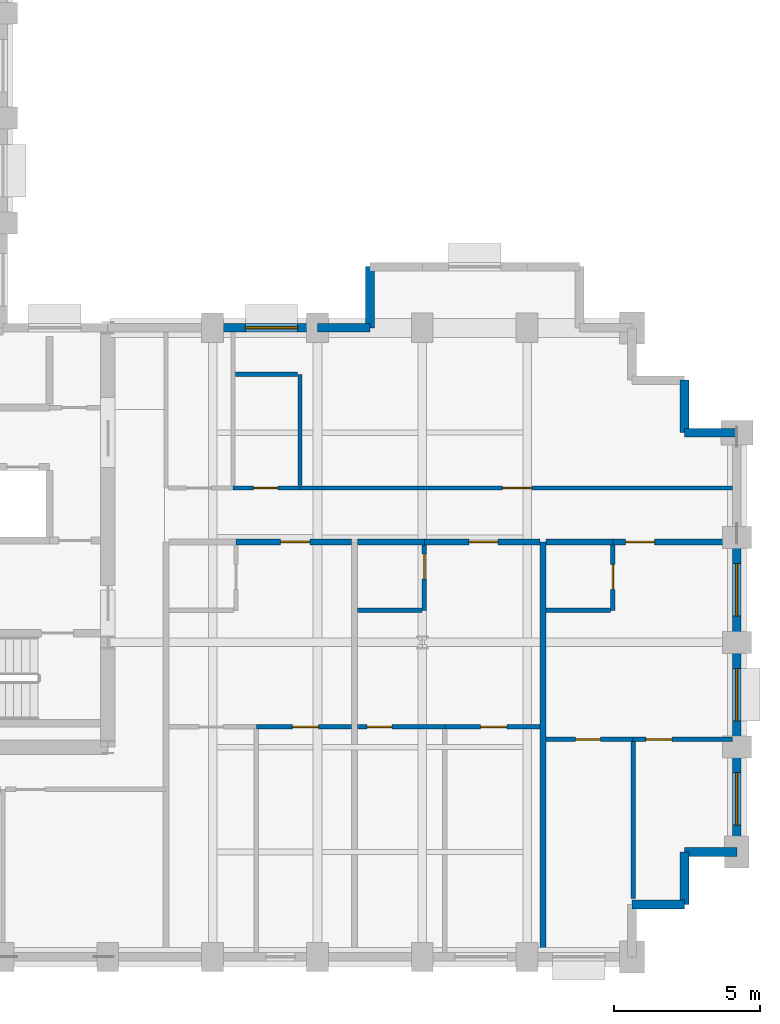
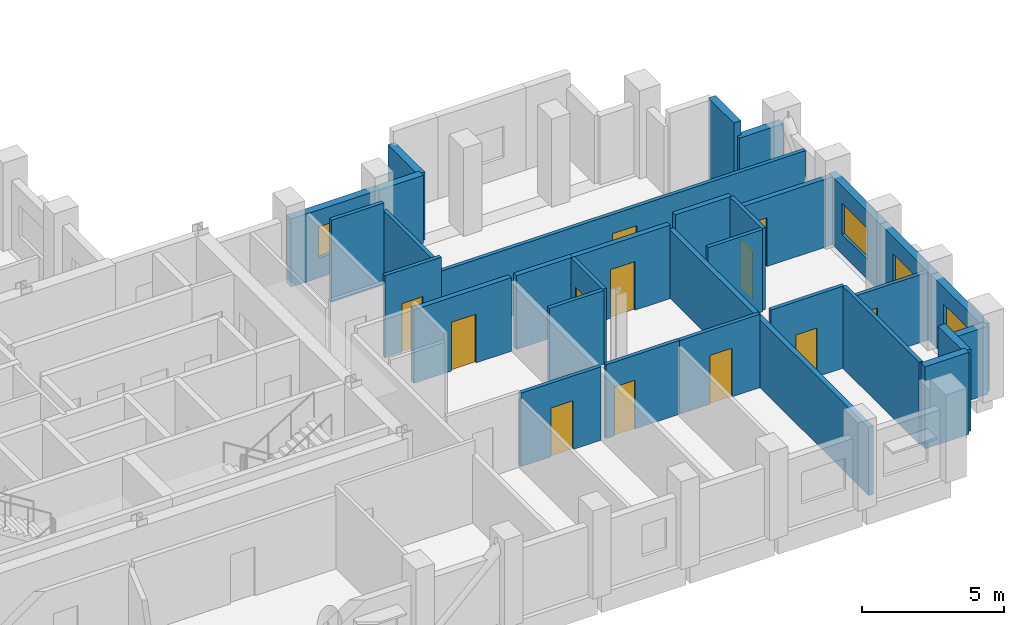
# One storey, part 6 of 10: 31 walls, 12 doors, 4 windows, 16 openings.
"""IFC4 building model written with IfcOpenShell, lengths in metres."""

from ifc_helpers import new_model, si_unit, direction, frame, frame_2d, origin, place, context, subcontext, project, spatial, rectangle, extrude, material, layer, layer_set, type_object, element, fill, save


model = new_model("IFC4")

# Units and contexts
model_context = context("Model", 3, precision=1e-05, world=origin(), true_north=direction((0.0, 1.0)))
body_context = subcontext(model_context, "Body", "Model", "MODEL_VIEW")
ifc_project = project(units=[si_unit("LENGTHUNIT", "METRE"), si_unit("AREAUNIT", "SQUARE_METRE"), si_unit("VOLUMEUNIT", "CUBIC_METRE"), si_unit("PLANEANGLEUNIT", "RADIAN"), si_unit("MASSUNIT", "GRAM", prefix="KILO")], contexts=[model_context])

# Site, building, storey
site_placement = place(None, origin())
site = spatial("IfcSite", under=ifc_project, at=site_placement, CompositionType="ELEMENT")
building_placement = place(site_placement, origin())
building = spatial("IfcBuilding", under=site, at=building_placement, Name="Solnavia Interchange Tower", CompositionType="ELEMENT")
storey_placement = place(building_placement, frame((0.0, 0.0, 150.39990234375)))
storey = spatial("IfcBuildingStorey", under=building, at=storey_placement, Name="L37", CompositionType="ELEMENT", Elevation=150.39990234375)

# Wall, opening, door
ifc_material_1 = material(Name="Gypsum Acoustic Twin-Stud & Mineral Wool", Category="gypsum")
ifc_layer_1 = layer(ifc_material_1, 0.199951171875)
ifc_layer_set_1 = layer_set([ifc_layer_1], Name="Gypsum Acoustic Twin-Stud & Mineral Wool")
wall_type_1 = type_object("IfcWallType", Name="Wall-ApartmentParty-200", PredefinedType="PARTITIONING", material=ifc_layer_set_1)
wall_1_placement = place(storey_placement, frame((36.800048828125, 17.85009765625, 0.0), z_axis=(0.0, 0.0, 1.0), x_axis=(1.0, 0.0, 0.0)))
wall_1 = element("IfcWall", 1, at=wall_1_placement, inside=storey, type_object=wall_type_1, Name="PTW-L37-22 Interior partition wall", PredefinedType="PARTITIONING", context=body_context, shape_type="SweptSolid", body=[
    extrude(rectangle(XDim=3.966064453125, YDim=0.199951171875, at=frame_2d((1.98291015625, 0.0))), origin(), (0.0, 0.0, 1.0), 3.170166015625),
])
opening_1_placement = place(wall_1_placement, frame((1.534912109375, 0.0, 0.0)))
opening_1 = element("IfcOpeningElement", 2, at=opening_1_placement, cuts=wall_1, Name="Opening DR-06", PredefinedType="OPENING", context=body_context, shape_type="SweptSolid", body=[
    extrude(rectangle(XDim=1.0, YDim=2.10009765625, at=frame_2d((0.5, 1.050048828125))), frame((0.0, 0.10986328125, 0.0), z_axis=(0.0, -1.0, 0.0), x_axis=(1.0, 0.0, 0.0)), (0.0, 0.0, 1.0), 0.219970703125),
])
ifc_material_2 = material(Name="Engineered Timber Acoustic Fire Door", Category="wood")
door_type_1 = type_object("IfcDoorType", Name="Door-FlatEntry-1000x2100", OperationType="SINGLE_SWING_LEFT", PredefinedType="DOOR", material=ifc_material_2)
door_1_placement = place(opening_1_placement, origin())
door_1 = element("IfcDoor", 3, at=door_1_placement, inside=storey, type_object=door_type_1, Name="DR-L37-09 Interior room door", OperationType="SINGLE_SWING_LEFT", OverallHeight=2.10009765625, OverallWidth=1.0, PredefinedType="DOOR", context=body_context, shape_type="SweptSolid", body=[
    extrude(rectangle(XDim=1.0, YDim=2.10009765625, at=frame_2d((0.5, 1.050048828125))), frame((0.0, 0.02490234375, 0.0), z_axis=(0.0, -1.0, 0.0), x_axis=(1.0, 0.0, 0.0)), (0.0, 0.0, 1.0), 0.050048828125),
])
fill(opening_1, door_1)

# Walls
wall_2_placement = place(storey_placement, frame((47.340087890625, 3.75390625, 0.0), z_axis=(0.0, 0.0, 1.0), x_axis=(0.0, 1.0, 0.0)))
element("IfcWall", 4, at=wall_2_placement, inside=storey, type_object=wall_type_1, Name="PTW-L37-26 Interior partition wall", PredefinedType="PARTITIONING", context=body_context, shape_type="SweptSolid", body=[
    extrude(rectangle(XDim=14.09619140625, YDim=0.199951171875, at=frame_2d((7.048095703125, 0.0))), origin(), (0.0, 0.0, 1.0), 2.93017578125),
])
wall_3_placement = place(storey_placement, frame((40.97412109375, 17.85009765625, 0.0), z_axis=(0.0, 0.0, 1.0), x_axis=(1.0, 0.0, 0.0)))
element("IfcWall", 5, at=wall_3_placement, inside=storey, type_object=wall_type_1, Name="PTW-L37-27 Interior partition wall", PredefinedType="PARTITIONING", context=body_context, shape_type="SweptSolid", body=[
    extrude(rectangle(XDim=2.2958984375, YDim=0.199951171875, at=frame_2d((1.14794921875, 0.0))), origin(), (0.0, 0.0, 1.0), 3.18017578125),
])

# Wall, opening, door
wall_4_placement = place(storey_placement, frame((43.27001953125, 17.85009765625, 0.0), z_axis=(0.0, 0.0, 1.0), x_axis=(1.0, 0.0, 0.0)))
wall_4 = element("IfcWall", 6, at=wall_4_placement, inside=storey, type_object=wall_type_1, Name="PTW-L37-30 Interior partition wall", PredefinedType="PARTITIONING", context=body_context, shape_type="SweptSolid", body=[
    extrude(rectangle(XDim=3.966064453125, YDim=0.199951171875, at=frame_2d((1.98291015625, 0.0))), origin(), (0.0, 0.0, 1.0), 3.170166015625),
])
opening_2_placement = place(wall_4_placement, frame((1.534912109375, 0.0, 0.0)))
opening_2 = element("IfcOpeningElement", 7, at=opening_2_placement, cuts=wall_4, Name="Opening DR-06", PredefinedType="OPENING", context=body_context, shape_type="SweptSolid", body=[
    extrude(rectangle(XDim=1.0, YDim=2.10009765625, at=frame_2d((0.5, 1.050048828125))), frame((0.0, 0.10986328125, 0.0), z_axis=(0.0, -1.0, 0.0), x_axis=(1.0, 0.0, 0.0)), (0.0, 0.0, 1.0), 0.219970703125),
])
door_2_placement = place(opening_2_placement, origin())
door_2 = element("IfcDoor", 8, at=door_2_placement, inside=storey, type_object=door_type_1, Name="DR-L37-13 Interior room door", OperationType="SINGLE_SWING_LEFT", OverallHeight=2.10009765625, OverallWidth=1.0, PredefinedType="DOOR", context=body_context, shape_type="SweptSolid", body=[
    extrude(rectangle(XDim=1.0, YDim=2.10009765625, at=frame_2d((0.5, 1.050048828125))), frame((0.0, 0.02490234375, 0.0), z_axis=(0.0, -1.0, 0.0), x_axis=(1.0, 0.0, 0.0)), (0.0, 0.0, 1.0), 0.050048828125),
])
fill(opening_2, door_2)

# Wall
wall_5_placement = place(storey_placement, frame((47.444091796875, 17.85009765625, 0.0), z_axis=(0.0, 0.0, 1.0), x_axis=(1.0, 0.0, 0.0)))
element("IfcWall", 9, at=wall_5_placement, inside=storey, type_object=wall_type_1, Name="PTW-L37-34 Interior partition wall", PredefinedType="PARTITIONING", context=body_context, shape_type="SweptSolid", body=[
    extrude(rectangle(XDim=2.2958984375, YDim=0.199951171875, at=frame_2d((1.14794921875, 0.0))), origin(), (0.0, 0.0, 1.0), 3.53515625),
])

# Wall, opening, door
wall_6_placement = place(storey_placement, frame((49.739990234375, 17.85009765625, 0.0), z_axis=(0.0, 0.0, 1.0), x_axis=(1.0, 0.0, 0.0)))
wall_6 = element("IfcWall", 10, at=wall_6_placement, inside=storey, type_object=wall_type_1, Name="PTW-L37-37 Interior partition wall", PredefinedType="PARTITIONING", context=body_context, shape_type="SweptSolid", body=[
    extrude(rectangle(XDim=4.10595703125, YDim=0.199951171875, at=frame_2d((2.052978515625, 0.0))), origin(), (0.0, 0.0, 1.0), 2.93017578125),
])
opening_3_placement = place(wall_6_placement, frame((0.43896484375, 0.0, 0.0)))
opening_3 = element("IfcOpeningElement", 11, at=opening_3_placement, cuts=wall_6, Name="Opening DR-06", PredefinedType="OPENING", context=body_context, shape_type="SweptSolid", body=[
    extrude(rectangle(XDim=1.0, YDim=2.10009765625, at=frame_2d((0.5, 1.050048828125))), frame((0.0, 0.10986328125, 0.0), z_axis=(0.0, -1.0, 0.0), x_axis=(1.0, 0.0, 0.0)), (0.0, 0.0, 1.0), 0.219970703125),
])
door_3_placement = place(opening_3_placement, origin())
door_3 = element("IfcDoor", 12, at=door_3_placement, inside=storey, type_object=door_type_1, Name="DR-L37-17 Interior room door", OperationType="SINGLE_SWING_LEFT", OverallHeight=2.10009765625, OverallWidth=1.0, PredefinedType="DOOR", context=body_context, shape_type="SweptSolid", body=[
    extrude(rectangle(XDim=1.0, YDim=2.10009765625, at=frame_2d((0.5, 1.050048828125))), frame((0.0, 0.02490234375, 0.0), z_axis=(0.0, -1.0, 0.0), x_axis=(1.0, 0.0, 0.0)), (0.0, 0.0, 1.0), 0.050048828125),
])
fill(opening_3, door_3)

# Walls
ifc_material_3 = material(Name="Concrete C40/50", Category="concrete")
ifc_layer_2 = layer(ifc_material_3, 0.300048828125)
ifc_layer_set_2 = layer_set([ifc_layer_2], Name="Concrete C40/50")
wall_type_2 = type_object("IfcWallType", Name="Wall-ExtSpandrel-300", PredefinedType="STANDARD", material=ifc_layer_set_2)
for number, where, z_axis, x_axis, name in (
    (13, (52.199951171875, 5.39990234375, 0.0), (0.0, 0.0, 1.0), (-1.0, 0.0, 0.0), "EXW-L37-09 Exterior precast spandrel wall"),
    (14, (52.199951171875, 7.199951171875, 0.0), (0.0, 0.0, 1.0), (0.0, -1.0, 0.0), "EXW-L37-10 Exterior precast spandrel wall"),
):
    element("IfcWall", number, at=place(storey_placement, frame(where, z_axis=z_axis, x_axis=x_axis)), inside=storey, type_object=wall_type_2, Name=name, PredefinedType="STANDARD", context=body_context, shape_type="SweptSolid", body=[
        extrude(rectangle(XDim=1.800048828125, YDim=0.300048828125, at=frame_2d((0.89990234375, 0.0))), origin(), (0.0, 0.0, 1.0), 3.53515625),
    ])
wall_7_placement = place(storey_placement, frame((54.0, 7.199951171875, 0.0), z_axis=(0.0, 0.0, 1.0), x_axis=(-1.0, 0.0, 0.0)))
element("IfcWall", 15, at=wall_7_placement, inside=storey, type_object=wall_type_2, Name="EXW-L37-11 Exterior precast spandrel wall", PredefinedType="STANDARD", context=body_context, shape_type="SweptSolid", body=[
    extrude(rectangle(XDim=1.800048828125, YDim=0.300048828125, at=frame_2d((0.89990234375, 0.0))), origin(), (0.0, 0.0, 1.0), 2.93017578125),
])

# Wall, opening, window
wall_8_placement = place(storey_placement, frame((54.0, 10.800048828125, 0.0), z_axis=(0.0, 0.0, 1.0), x_axis=(0.0, -1.0, 0.0)))
wall_8 = element("IfcWall", 16, at=wall_8_placement, inside=storey, type_object=wall_type_2, Name="EXW-L37-12 Exterior precast spandrel wall", PredefinedType="STANDARD", context=body_context, shape_type="SweptSolid", body=[
    extrude(rectangle(XDim=3.60009765625, YDim=0.300048828125, at=frame_2d((1.800048828125, 0.0))), origin(), (0.0, 0.0, 1.0), 2.93017578125),
])
opening_4_placement = place(wall_8_placement, frame((0.875, 0.0, 0.85009765625)))
opening_4 = element("IfcOpeningElement", 17, at=opening_4_placement, cuts=wall_8, Name="Opening WIN-02", PredefinedType="OPENING", context=body_context, shape_type="SweptSolid", body=[
    extrude(rectangle(XDim=1.800048828125, YDim=1.35009765625, at=frame_2d((0.89990234375, 0.675048828125))), frame((0.0, 0.16015625, 0.0), z_axis=(0.0, -1.0, 0.0), x_axis=(1.0, 0.0, 0.0)), (0.0, 0.0, 1.0), 0.320068359375),
])
ifc_material_4 = material(Name="Thermal-Break Aluminium & Low-E Glass", Category="aluminium")
window_type = type_object("IfcWindowType", Name="Window-Ribbon-1800x1350", PartitioningType="SINGLE_PANEL", PredefinedType="WINDOW", material=ifc_material_4)
window_1_placement = place(opening_4_placement, origin())
window_1 = element("IfcWindow", 18, at=window_1_placement, inside=storey, type_object=window_type, Name="WIN-L37-12 Facade ribbon window", OverallHeight=1.35009765625, OverallWidth=1.800048828125, PartitioningType="SINGLE_PANEL", PredefinedType="WINDOW", context=body_context, shape_type="SweptSolid", body=[
    extrude(rectangle(XDim=1.800048828125, YDim=1.35009765625, at=frame_2d((0.89990234375, 0.675048828125))), frame((0.0, 0.030029296875, 0.0), z_axis=(0.0, -1.0, 0.0), x_axis=(1.0, 0.0, 0.0)), (0.0, 0.0, 1.0), 0.06005859375),
])
fill(opening_4, window_1)

wall_9_placement = place(storey_placement, frame((54.0, 14.39990234375, 0.0), z_axis=(0.0, 0.0, 1.0), x_axis=(0.0, -1.0, 0.0)))
wall_9 = element("IfcWall", 19, at=wall_9_placement, inside=storey, type_object=wall_type_2, Name="EXW-L37-13 Exterior precast spandrel wall", PredefinedType="STANDARD", context=body_context, shape_type="SweptSolid", body=[
    extrude(rectangle(XDim=3.599853515625, YDim=0.300048828125, at=frame_2d((1.7998046875, 0.0))), origin(), (0.0, 0.0, 1.0), 2.93017578125),
])
opening_5_placement = place(wall_9_placement, frame((0.89990234375, 0.0, 0.85009765625)))
opening_5 = element("IfcOpeningElement", 20, at=opening_5_placement, cuts=wall_9, Name="Opening WIN-02", PredefinedType="OPENING", context=body_context, shape_type="SweptSolid", body=[
    extrude(rectangle(XDim=1.800048828125, YDim=1.35009765625, at=frame_2d((0.89990234375, 0.675048828125))), frame((0.0, 0.16015625, 0.0), z_axis=(0.0, -1.0, 0.0), x_axis=(1.0, 0.0, 0.0)), (0.0, 0.0, 1.0), 0.320068359375),
])
window_2_placement = place(opening_5_placement, origin())
window_2 = element("IfcWindow", 21, at=window_2_placement, inside=storey, type_object=window_type, Name="WIN-L37-13 Facade ribbon window", OverallHeight=1.35009765625, OverallWidth=1.800048828125, PartitioningType="SINGLE_PANEL", PredefinedType="WINDOW", context=body_context, shape_type="SweptSolid", body=[
    extrude(rectangle(XDim=1.800048828125, YDim=1.35009765625, at=frame_2d((0.89990234375, 0.675048828125))), frame((0.0, 0.030029296875, 0.0), z_axis=(0.0, -1.0, 0.0), x_axis=(1.0, 0.0, 0.0)), (0.0, 0.0, 1.0), 0.06005859375),
])
fill(opening_5, window_2)

wall_10_placement = place(storey_placement, frame((54.0, 18.0, 0.0), z_axis=(0.0, 0.0, 1.0), x_axis=(0.0, -1.0, 0.0)))
wall_10 = element("IfcWall", 22, at=wall_10_placement, inside=storey, type_object=wall_type_2, Name="EXW-L37-14 Exterior precast spandrel wall", PredefinedType="STANDARD", context=body_context, shape_type="SweptSolid", body=[
    extrude(rectangle(XDim=3.60009765625, YDim=0.300048828125, at=frame_2d((1.800048828125, 0.0))), origin(), (0.0, 0.0, 1.0), 2.93017578125),
])
opening_6_placement = place(wall_10_placement, frame((0.89990234375, 0.0, 0.85009765625)))
opening_6 = element("IfcOpeningElement", 23, at=opening_6_placement, cuts=wall_10, Name="Opening WIN-02", PredefinedType="OPENING", context=body_context, shape_type="SweptSolid", body=[
    extrude(rectangle(XDim=1.800048828125, YDim=1.35009765625, at=frame_2d((0.89990234375, 0.675048828125))), frame((0.0, 0.16015625, 0.0), z_axis=(0.0, -1.0, 0.0), x_axis=(1.0, 0.0, 0.0)), (0.0, 0.0, 1.0), 0.320068359375),
])
window_3_placement = place(opening_6_placement, origin())
window_3 = element("IfcWindow", 24, at=window_3_placement, inside=storey, type_object=window_type, Name="WIN-L37-14 Facade ribbon window", OverallHeight=1.35009765625, OverallWidth=1.800048828125, PartitioningType="SINGLE_PANEL", PredefinedType="WINDOW", context=body_context, shape_type="SweptSolid", body=[
    extrude(rectangle(XDim=1.800048828125, YDim=1.35009765625, at=frame_2d((0.89990234375, 0.675048828125))), frame((0.0, 0.030029296875, 0.0), z_axis=(0.0, -1.0, 0.0), x_axis=(1.0, 0.0, 0.0)), (0.0, 0.0, 1.0), 0.06005859375),
])
fill(opening_6, window_3)

# Walls
wall_11_placement = place(storey_placement, frame((52.199951171875, 21.60009765625, 0.0), z_axis=(0.0, 0.0, 1.0), x_axis=(1.0, 0.0, 0.0)))
element("IfcWall", 25, at=wall_11_placement, inside=storey, type_object=wall_type_2, Name="EXW-L37-16 Exterior precast spandrel wall", PredefinedType="STANDARD", context=body_context, shape_type="SweptSolid", body=[
    extrude(rectangle(XDim=1.800048828125, YDim=0.300048828125, at=frame_2d((0.89990234375, 0.0))), origin(), (0.0, 0.0, 1.0), 2.93017578125),
])
wall_12_placement = place(storey_placement, frame((52.199951171875, 23.39990234375, 0.0), z_axis=(0.0, 0.0, 1.0), x_axis=(0.0, -1.0, 0.0)))
element("IfcWall", 26, at=wall_12_placement, inside=storey, type_object=wall_type_2, Name="EXW-L37-17 Exterior precast spandrel wall", PredefinedType="STANDARD", context=body_context, shape_type="SweptSolid", body=[
    extrude(rectangle(XDim=1.7998046875, YDim=0.300048828125, at=frame_2d((0.89990234375, 0.0))), origin(), (0.0, 0.0, 1.0), 3.53515625),
])
wall_13_placement = place(storey_placement, frame((41.39990234375, 27.300048828125, 0.0), z_axis=(0.0, 0.0, 1.0), x_axis=(0.0, -1.0, 0.0)))
element("IfcWall", 27, at=wall_13_placement, inside=storey, type_object=wall_type_2, Name="EXW-L37-25 Exterior precast spandrel wall", PredefinedType="STANDARD", context=body_context, shape_type="SweptSolid", body=[
    extrude(rectangle(XDim=2.10009765625, YDim=0.300048828125, at=frame_2d((1.050048828125, 0.0))), origin(), (0.0, 0.0, 1.0), 2.93017578125),
])
wall_14_placement = place(storey_placement, frame((39.60009765625, 25.199951171875, 0.0), z_axis=(0.0, 0.0, 1.0), x_axis=(1.0, 0.0, 0.0)))
element("IfcWall", 28, at=wall_14_placement, inside=storey, type_object=wall_type_2, Name="EXW-L37-26 Exterior precast spandrel wall", PredefinedType="STANDARD", context=body_context, shape_type="SweptSolid", body=[
    extrude(rectangle(XDim=1.7998046875, YDim=0.300048828125, at=frame_2d((0.89990234375, 0.0))), origin(), (0.0, 0.0, 1.0), 2.93017578125),
])

# Wall, opening, window
wall_15_placement = place(storey_placement, frame((36.0, 25.199951171875, 0.0), z_axis=(0.0, 0.0, 1.0), x_axis=(1.0, 0.0, 0.0)))
wall_15 = element("IfcWall", 29, at=wall_15_placement, inside=storey, type_object=wall_type_2, Name="EXW-L37-27 Exterior precast spandrel wall", PredefinedType="STANDARD", context=body_context, shape_type="SweptSolid", body=[
    extrude(rectangle(XDim=3.60009765625, YDim=0.300048828125, at=frame_2d((1.800048828125, 0.0))), origin(), (0.0, 0.0, 1.0), 2.93017578125),
])
opening_7_placement = place(wall_15_placement, frame((1.1201171875, 0.0, 0.85009765625)))
opening_7 = element("IfcOpeningElement", 30, at=opening_7_placement, cuts=wall_15, Name="Opening WIN-02", PredefinedType="OPENING", context=body_context, shape_type="SweptSolid", body=[
    extrude(rectangle(XDim=1.800048828125, YDim=1.35009765625, at=frame_2d((0.89990234375, 0.675048828125))), frame((0.0, 0.16015625, 0.0), z_axis=(0.0, -1.0, 0.0), x_axis=(1.0, 0.0, 0.0)), (0.0, 0.0, 1.0), 0.320068359375),
])
window_4_placement = place(opening_7_placement, origin())
window_4 = element("IfcWindow", 31, at=window_4_placement, inside=storey, type_object=window_type, Name="WIN-L37-27 Facade ribbon window", OverallHeight=1.35009765625, OverallWidth=1.800048828125, PartitioningType="SINGLE_PANEL", PredefinedType="WINDOW", context=body_context, shape_type="SweptSolid", body=[
    extrude(rectangle(XDim=1.800048828125, YDim=1.35009765625, at=frame_2d((0.89990234375, 0.675048828125))), frame((0.0, 0.030029296875, 0.0), z_axis=(0.0, -1.0, 0.0), x_axis=(1.0, 0.0, 0.0)), (0.0, 0.0, 1.0), 0.06005859375),
])
fill(opening_7, window_4)

# Wall, opening, door
ifc_material_5 = material(Name="Gypsum Plasterboard & Steel Stud", Category="steel")
ifc_layer_3 = layer(ifc_material_5, 0.14990234375)
ifc_layer_set_3 = layer_set([ifc_layer_3], Name="Gypsum Plasterboard & Steel Stud")
wall_type_3 = type_object("IfcWallType", Name="Wall-Partition-150", PredefinedType="PARTITIONING", material=ifc_layer_set_3)
wall_16_placement = place(storey_placement, frame((37.5, 11.5, 0.0), z_axis=(0.0, 0.0, 1.0), x_axis=(1.0, 0.0, 0.0)))
wall_16 = element("IfcWall", 32, at=wall_16_placement, inside=storey, type_object=wall_type_3, Name="PTW-L37-23 Interior partition wall", PredefinedType="PARTITIONING", context=body_context, shape_type="SweptSolid", body=[
    extrude(rectangle(XDim=3.26611328125, YDim=0.14990234375, at=frame_2d((1.633056640625, 0.0))), origin(), (0.0, 0.0, 1.0), 3.170166015625),
])
opening_8_placement = place(wall_16_placement, frame((1.235107421875, 0.0, 0.0)))
opening_8 = element("IfcOpeningElement", 33, at=opening_8_placement, cuts=wall_16, Name="Opening DR-09", PredefinedType="OPENING", context=body_context, shape_type="SweptSolid", body=[
    extrude(rectangle(XDim=0.89990234375, YDim=2.10009765625, at=frame_2d((0.449951171875, 1.050048828125))), frame((0.0, 0.0849609375, 0.0), z_axis=(0.0, -1.0, 0.0), x_axis=(1.0, 0.0, 0.0)), (0.0, 0.0, 1.0), 0.169921875),
])
ifc_material_6 = material(Name="Engineered Oak Veneer Door", Category="wood")
door_type_2 = type_object("IfcDoorType", Name="Door-Internal-900x2100", OperationType="SINGLE_SWING_LEFT", PredefinedType="DOOR", material=ifc_material_6)
door_4_placement = place(opening_8_placement, origin())
door_4 = element("IfcDoor", 34, at=door_4_placement, inside=storey, type_object=door_type_2, Name="DR-L37-10 Interior room door", OperationType="SINGLE_SWING_RIGHT", OverallHeight=2.10009765625, OverallWidth=0.89990234375, PredefinedType="DOOR", context=body_context, shape_type="SweptSolid", body=[
    extrude(rectangle(XDim=0.89990234375, YDim=2.10009765625, at=frame_2d((0.449951171875, 1.050048828125))), frame((0.0, 0.02490234375, 0.0), z_axis=(0.0, -1.0, 0.0), x_axis=(1.0, 0.0, 0.0)), (0.0, 0.0, 1.0), 0.050048828125),
])
fill(opening_8, door_4)

wall_17_placement = place(storey_placement, frame((43.969970703125, 11.5, 0.0), z_axis=(0.0, 0.0, 1.0), x_axis=(1.0, 0.0, 0.0)))
wall_17 = element("IfcWall", 35, at=wall_17_placement, inside=storey, type_object=wall_type_3, Name="PTW-L37-31 Interior partition wall", PredefinedType="PARTITIONING", context=body_context, shape_type="SweptSolid", body=[
    extrude(rectangle(XDim=3.26611328125, YDim=0.14990234375, at=frame_2d((1.633056640625, 0.0))), origin(), (0.0, 0.0, 1.0), 3.170166015625),
])
opening_9_placement = place(wall_17_placement, frame((1.235107421875, 0.0, 0.0)))
opening_9 = element("IfcOpeningElement", 36, at=opening_9_placement, cuts=wall_17, Name="Opening DR-09", PredefinedType="OPENING", context=body_context, shape_type="SweptSolid", body=[
    extrude(rectangle(XDim=0.89990234375, YDim=2.10009765625, at=frame_2d((0.449951171875, 1.050048828125))), frame((0.0, 0.0849609375, 0.0), z_axis=(0.0, -1.0, 0.0), x_axis=(1.0, 0.0, 0.0)), (0.0, 0.0, 1.0), 0.169921875),
])
door_5_placement = place(opening_9_placement, origin())
door_5 = element("IfcDoor", 37, at=door_5_placement, inside=storey, type_object=door_type_2, Name="DR-L37-14 Interior room door", OperationType="SINGLE_SWING_RIGHT", OverallHeight=2.10009765625, OverallWidth=0.89990234375, PredefinedType="DOOR", context=body_context, shape_type="SweptSolid", body=[
    extrude(rectangle(XDim=0.89990234375, YDim=2.10009765625, at=frame_2d((0.449951171875, 1.050048828125))), frame((0.0, 0.02490234375, 0.0), z_axis=(0.0, -1.0, 0.0), x_axis=(1.0, 0.0, 0.0)), (0.0, 0.0, 1.0), 0.050048828125),
])
fill(opening_9, door_5)

wall_18_placement = place(storey_placement, frame((50.43994140625, 11.070068359375, 0.0), z_axis=(0.0, 0.0, 1.0), x_axis=(1.0, 0.0, 0.0)))
wall_18 = element("IfcWall", 38, at=wall_18_placement, inside=storey, type_object=wall_type_3, Name="PTW-L37-38 Interior partition wall", PredefinedType="PARTITIONING", context=body_context, shape_type="SweptSolid", body=[
    extrude(rectangle(XDim=3.406005859375, YDim=0.14990234375, at=frame_2d((1.703125, 0.0))), origin(), (0.0, 0.0, 1.0), 2.93017578125),
])
opening_10_placement = place(wall_18_placement, frame((0.43798828125, 0.0, 0.0)))
opening_10 = element("IfcOpeningElement", 39, at=opening_10_placement, cuts=wall_18, Name="Opening DR-09", PredefinedType="OPENING", context=body_context, shape_type="SweptSolid", body=[
    extrude(rectangle(XDim=0.89990234375, YDim=2.10009765625, at=frame_2d((0.449951171875, 1.050048828125))), frame((0.0, 0.0849609375, 0.0), z_axis=(0.0, -1.0, 0.0), x_axis=(1.0, 0.0, 0.0)), (0.0, 0.0, 1.0), 0.169921875),
])
door_6_placement = place(opening_10_placement, origin())
door_6 = element("IfcDoor", 40, at=door_6_placement, inside=storey, type_object=door_type_2, Name="DR-L37-18 Interior room door", OperationType="SINGLE_SWING_RIGHT", OverallHeight=2.10009765625, OverallWidth=0.89990234375, PredefinedType="DOOR", context=body_context, shape_type="SweptSolid", body=[
    extrude(rectangle(XDim=0.89990234375, YDim=2.10009765625, at=frame_2d((0.449951171875, 1.050048828125))), frame((0.0, 0.02490234375, 0.0), z_axis=(0.0, -1.0, 0.0), x_axis=(1.0, 0.0, 0.0)), (0.0, 0.0, 1.0), 0.050048828125),
])
fill(opening_10, door_6)

wall_19_placement = place(storey_placement, frame((39.0, 19.699951171875, 0.0), z_axis=(0.0, 0.0, 1.0), x_axis=(1.0, 0.0, 0.0)))
wall_19 = element("IfcWall", 41, at=wall_19_placement, inside=storey, type_object=wall_type_3, Name="PTW-L37-41 Interior partition wall", PredefinedType="PARTITIONING", context=body_context, shape_type="SweptSolid", body=[
    extrude(rectangle(XDim=14.845947265625, YDim=0.14990234375, at=frame_2d((7.4228515625, 0.0))), origin(), (0.0, 0.0, 1.0), 2.93017578125),
])
opening_11_placement = place(wall_19_placement, frame((6.9599609375, 0.0, 0.0)))
opening_11 = element("IfcOpeningElement", 42, at=opening_11_placement, cuts=wall_19, Name="Opening DR-07", PredefinedType="OPENING", context=body_context, shape_type="SweptSolid", body=[
    extrude(rectangle(XDim=1.0, YDim=2.10009765625, at=frame_2d((0.5, 1.050048828125))), frame((0.0, 0.0849609375, 0.0), z_axis=(0.0, -1.0, 0.0), x_axis=(1.0, 0.0, 0.0)), (0.0, 0.0, 1.0), 0.169921875),
])
ifc_material_7 = material(Name="Timber & Acoustic Glazed Office Door", Category="wood")
door_type_3 = type_object("IfcDoorType", Name="Door-Office-1000x2100", OperationType="SINGLE_SWING_RIGHT", PredefinedType="DOOR", material=ifc_material_7)
door_7_placement = place(opening_11_placement, origin())
door_7 = element("IfcDoor", 43, at=door_7_placement, inside=storey, type_object=door_type_3, Name="DR-L37-20 Interior room door", OperationType="SINGLE_SWING_RIGHT", OverallHeight=2.10009765625, OverallWidth=1.0, PredefinedType="DOOR", context=body_context, shape_type="SweptSolid", body=[
    extrude(rectangle(XDim=1.0, YDim=2.10009765625, at=frame_2d((0.5, 1.050048828125))), frame((0.0, 0.02490234375, 0.0), z_axis=(0.0, -1.0, 0.0), x_axis=(1.0, 0.0, 0.0)), (0.0, 0.0, 1.0), 0.050048828125),
])
fill(opening_11, door_7)

ifc_material_8 = material(Name="Moisture-Resistant Gypsum & Steel Stud", Category="steel")
ifc_layer_4 = layer(ifc_material_8, 0.14990234375)
ifc_layer_set_4 = layer_set([ifc_layer_4], Name="Moisture-Resistant Gypsum & Steel Stud")
wall_type_4 = type_object("IfcWallType", Name="Wall-WetRoom-150", PredefinedType="PARTITIONING", material=ifc_layer_set_4)
wall_20_placement = place(storey_placement, frame((36.699951171875, 19.699951171875, 0.0), z_axis=(0.0, 0.0, 1.0), x_axis=(1.0, 0.0, 0.0)))
wall_20 = element("IfcWall", 44, at=wall_20_placement, inside=storey, type_object=wall_type_4, Name="PTW-L37-04 Interior partition wall", PredefinedType="PARTITIONING", context=body_context, shape_type="SweptSolid", body=[
    extrude(rectangle(XDim=2.300048828125, YDim=0.14990234375, at=frame_2d((1.14990234375, 0.0))), origin(), (0.0, 0.0, 1.0), 3.53515625),
])
opening_12_placement = place(wall_20_placement, frame((0.697021484375, 0.0, 0.0)))
opening_12 = element("IfcOpeningElement", 45, at=opening_12_placement, cuts=wall_20, Name="Opening DR-10", PredefinedType="OPENING", context=body_context, shape_type="SweptSolid", body=[
    extrude(rectangle(XDim=0.85009765625, YDim=2.10009765625, at=frame_2d((0.425048828125, 1.050048828125))), frame((0.0, 0.0849609375, 0.0), z_axis=(0.0, -1.0, 0.0), x_axis=(1.0, 0.0, 0.0)), (0.0, 0.0, 1.0), 0.169921875),
])
ifc_material_9 = material(Name="Moisture-Resistant Timber Door", Category="wood")
door_type_4 = type_object("IfcDoorType", Name="Door-Bathroom-850x2100", OperationType="SINGLE_SWING_RIGHT", PredefinedType="DOOR", material=ifc_material_9)
door_8_placement = place(opening_12_placement, origin())
door_8 = element("IfcDoor", 46, at=door_8_placement, inside=storey, type_object=door_type_4, Name="DR-L37-02 Interior room door", OperationType="SINGLE_SWING_RIGHT", OverallHeight=2.10009765625, OverallWidth=0.85009765625, PredefinedType="DOOR", context=body_context, shape_type="SweptSolid", body=[
    extrude(rectangle(XDim=0.85009765625, YDim=2.10009765625, at=frame_2d((0.425048828125, 1.050048828125))), frame((0.0, 0.02490234375, 0.0), z_axis=(0.0, -1.0, 0.0), x_axis=(1.0, 0.0, 0.0)), (0.0, 0.0, 1.0), 0.050048828125),
])
fill(opening_12, door_8)

# Walls
wall_21_placement = place(storey_placement, frame((39.0, 19.779052734375, 0.0), z_axis=(0.0, 0.0, 1.0), x_axis=(0.0, 1.0, 0.0)))
element("IfcWall", 47, at=wall_21_placement, inside=storey, type_object=wall_type_4, Name="PTW-L37-05 Interior partition wall", PredefinedType="PARTITIONING", context=body_context, shape_type="SweptSolid", body=[
    extrude(rectangle(XDim=3.821044921875, YDim=0.14990234375, at=frame_2d((1.91064453125, 0.0))), origin(), (0.0, 0.0, 1.0), 3.170166015625),
])
wall_22_placement = place(storey_placement, frame((36.779052734375, 23.60009765625, 0.0), z_axis=(0.0, 0.0, 1.0), x_axis=(1.0, 0.0, 0.0)))
element("IfcWall", 48, at=wall_22_placement, inside=storey, type_object=wall_type_4, Name="PTW-L37-06 Interior partition wall", PredefinedType="PARTITIONING", context=body_context, shape_type="SweptSolid", body=[
    extrude(rectangle(XDim=2.141845703125, YDim=0.14990234375, at=frame_2d((1.07080078125, 0.0))), origin(), (0.0, 0.0, 1.0), 3.53515625),
])

# Wall, opening, door
wall_23_placement = place(storey_placement, frame((43.27001953125, 15.5, 0.0), z_axis=(0.0, 0.0, 1.0), x_axis=(0.0, 1.0, 0.0)))
wall_23 = element("IfcWall", 49, at=wall_23_placement, inside=storey, type_object=wall_type_4, Name="PTW-L37-28 Interior partition wall", PredefinedType="PARTITIONING", context=body_context, shape_type="SweptSolid", body=[
    extrude(rectangle(XDim=2.24609375, YDim=0.14990234375, at=frame_2d((1.123046875, 0.0))), origin(), (0.0, 0.0, 1.0), 3.18017578125),
])
opening_13_placement = place(wall_23_placement, frame((1.080078125, 0.0, 0.0)))
opening_13 = element("IfcOpeningElement", 50, at=opening_13_placement, cuts=wall_23, Name="Opening DR-10", PredefinedType="OPENING", context=body_context, shape_type="SweptSolid", body=[
    extrude(rectangle(XDim=0.85009765625, YDim=2.10009765625, at=frame_2d((0.425048828125, 1.050048828125))), frame((0.0, 0.0849609375, 0.0), z_axis=(0.0, -1.0, 0.0), x_axis=(1.0, 0.0, 0.0)), (0.0, 0.0, 1.0), 0.169921875),
])
door_9_placement = place(opening_13_placement, origin())
door_9 = element("IfcDoor", 51, at=door_9_placement, inside=storey, type_object=door_type_4, Name="DR-L37-12 Interior room door", OperationType="SINGLE_SWING_RIGHT", OverallHeight=2.10009765625, OverallWidth=0.85009765625, PredefinedType="DOOR", context=body_context, shape_type="SweptSolid", body=[
    extrude(rectangle(XDim=0.85009765625, YDim=2.10009765625, at=frame_2d((0.425048828125, 1.050048828125))), frame((0.0, 0.02490234375, 0.0), z_axis=(0.0, -1.0, 0.0), x_axis=(1.0, 0.0, 0.0)), (0.0, 0.0, 1.0), 0.050048828125),
])
fill(opening_13, door_9)

# Wall
wall_24_placement = place(storey_placement, frame((40.97412109375, 15.5, 0.0), z_axis=(0.0, 0.0, 1.0), x_axis=(1.0, 0.0, 0.0)))
element("IfcWall", 52, at=wall_24_placement, inside=storey, type_object=wall_type_4, Name="PTW-L37-29 Interior partition wall", PredefinedType="PARTITIONING", context=body_context, shape_type="SweptSolid", body=[
    extrude(rectangle(XDim=2.216796875, YDim=0.14990234375, at=frame_2d((1.1083984375, 0.0))), origin(), (0.0, 0.0, 1.0), 3.18017578125),
])

# Wall, opening, door
wall_25_placement = place(storey_placement, frame((40.97412109375, 11.5, 0.0), z_axis=(0.0, 0.0, 1.0), x_axis=(1.0, 0.0, 0.0)))
wall_25 = element("IfcWall", 53, at=wall_25_placement, inside=storey, type_object=wall_type_4, Name="PTW-L37-32 Interior partition wall", PredefinedType="PARTITIONING", context=body_context, shape_type="SweptSolid", body=[
    extrude(rectangle(XDim=2.995849609375, YDim=0.14990234375, at=frame_2d((1.498046875, 0.0))), origin(), (0.0, 0.0, 1.0), 3.18017578125),
])
opening_14_placement = place(wall_25_placement, frame((0.3330078125, 0.0, 0.0)))
opening_14 = element("IfcOpeningElement", 54, at=opening_14_placement, cuts=wall_25, Name="Opening DR-10", PredefinedType="OPENING", context=body_context, shape_type="SweptSolid", body=[
    extrude(rectangle(XDim=0.85009765625, YDim=2.10009765625, at=frame_2d((0.425048828125, 1.050048828125))), frame((0.0, 0.0849609375, 0.0), z_axis=(0.0, -1.0, 0.0), x_axis=(1.0, 0.0, 0.0)), (0.0, 0.0, 1.0), 0.169921875),
])
door_10_placement = place(opening_14_placement, origin())
door_10 = element("IfcDoor", 55, at=door_10_placement, inside=storey, type_object=door_type_4, Name="DR-L37-15 Interior room door", OperationType="SINGLE_SWING_LEFT", OverallHeight=2.10009765625, OverallWidth=0.85009765625, PredefinedType="DOOR", context=body_context, shape_type="SweptSolid", body=[
    extrude(rectangle(XDim=0.85009765625, YDim=2.10009765625, at=frame_2d((0.425048828125, 1.050048828125))), frame((0.0, 0.02490234375, 0.0), z_axis=(0.0, -1.0, 0.0), x_axis=(1.0, 0.0, 0.0)), (0.0, 0.0, 1.0), 0.050048828125),
])
fill(opening_14, door_10)

wall_26_placement = place(storey_placement, frame((49.739990234375, 15.5, 0.0), z_axis=(0.0, 0.0, 1.0), x_axis=(0.0, 1.0, 0.0)))
wall_26 = element("IfcWall", 56, at=wall_26_placement, inside=storey, type_object=wall_type_4, Name="PTW-L37-35 Interior partition wall", PredefinedType="PARTITIONING", context=body_context, shape_type="SweptSolid", body=[
    extrude(rectangle(XDim=2.24609375, YDim=0.14990234375, at=frame_2d((1.123046875, 0.0))), origin(), (0.0, 0.0, 1.0), 3.53515625),
])
opening_15_placement = place(wall_26_placement, frame((0.719970703125, 0.0, 0.0)))
opening_15 = element("IfcOpeningElement", 57, at=opening_15_placement, cuts=wall_26, Name="Opening DR-10", PredefinedType="OPENING", context=body_context, shape_type="SweptSolid", body=[
    extrude(rectangle(XDim=0.85009765625, YDim=2.10009765625, at=frame_2d((0.425048828125, 1.050048828125))), frame((0.0, 0.0849609375, 0.0), z_axis=(0.0, -1.0, 0.0), x_axis=(1.0, 0.0, 0.0)), (0.0, 0.0, 1.0), 0.169921875),
])
door_11_placement = place(opening_15_placement, origin())
door_11 = element("IfcDoor", 58, at=door_11_placement, inside=storey, type_object=door_type_4, Name="DR-L37-16 Interior room door", OperationType="SINGLE_SWING_RIGHT", OverallHeight=2.10009765625, OverallWidth=0.85009765625, PredefinedType="DOOR", context=body_context, shape_type="SweptSolid", body=[
    extrude(rectangle(XDim=0.85009765625, YDim=2.10009765625, at=frame_2d((0.425048828125, 1.050048828125))), frame((0.0, 0.02490234375, 0.0), z_axis=(0.0, -1.0, 0.0), x_axis=(1.0, 0.0, 0.0)), (0.0, 0.0, 1.0), 0.050048828125),
])
fill(opening_15, door_11)

# Wall
wall_27_placement = place(storey_placement, frame((47.444091796875, 15.5, 0.0), z_axis=(0.0, 0.0, 1.0), x_axis=(1.0, 0.0, 0.0)))
element("IfcWall", 59, at=wall_27_placement, inside=storey, type_object=wall_type_4, Name="PTW-L37-36 Interior partition wall", PredefinedType="PARTITIONING", context=body_context, shape_type="SweptSolid", body=[
    extrude(rectangle(XDim=2.216796875, YDim=0.14990234375, at=frame_2d((1.1083984375, 0.0))), origin(), (0.0, 0.0, 1.0), 3.53515625),
])

# Wall, opening, door
wall_28_placement = place(storey_placement, frame((47.444091796875, 11.070068359375, 0.0), z_axis=(0.0, 0.0, 1.0), x_axis=(1.0, 0.0, 0.0)))
wall_28 = element("IfcWall", 60, at=wall_28_placement, inside=storey, type_object=wall_type_4, Name="PTW-L37-39 Interior partition wall", PredefinedType="PARTITIONING", context=body_context, shape_type="SweptSolid", body=[
    extrude(rectangle(XDim=2.995849609375, YDim=0.14990234375, at=frame_2d((1.498046875, 0.0))), origin(), (0.0, 0.0, 1.0), 3.53515625),
])
opening_16_placement = place(wall_28_placement, frame((1.02099609375, 0.0, 0.0)))
opening_16 = element("IfcOpeningElement", 61, at=opening_16_placement, cuts=wall_28, Name="Opening DR-10", PredefinedType="OPENING", context=body_context, shape_type="SweptSolid", body=[
    extrude(rectangle(XDim=0.85009765625, YDim=2.10009765625, at=frame_2d((0.425048828125, 1.050048828125))), frame((0.0, 0.0849609375, 0.0), z_axis=(0.0, -1.0, 0.0), x_axis=(1.0, 0.0, 0.0)), (0.0, 0.0, 1.0), 0.169921875),
])
door_12_placement = place(opening_16_placement, origin())
door_12 = element("IfcDoor", 62, at=door_12_placement, inside=storey, type_object=door_type_4, Name="DR-L37-19 Interior room door", OperationType="SINGLE_SWING_LEFT", OverallHeight=2.10009765625, OverallWidth=0.85009765625, PredefinedType="DOOR", context=body_context, shape_type="SweptSolid", body=[
    extrude(rectangle(XDim=0.85009765625, YDim=2.10009765625, at=frame_2d((0.425048828125, 1.050048828125))), frame((0.0, 0.02490234375, 0.0), z_axis=(0.0, -1.0, 0.0), x_axis=(1.0, 0.0, 0.0)), (0.0, 0.0, 1.0), 0.050048828125),
])
fill(opening_16, door_12)

# Wall
wall_29_placement = place(storey_placement, frame((50.43994140625, 5.60498046875, 0.0), z_axis=(0.0, 0.0, 1.0), x_axis=(0.0, 1.0, 0.0)))
element("IfcWall", 63, at=wall_29_placement, inside=storey, type_object=wall_type_4, Name="PTW-L37-40 Interior partition wall", PredefinedType="PARTITIONING", context=body_context, shape_type="SweptSolid", body=[
    extrude(rectangle(XDim=5.385986328125, YDim=0.14990234375, at=frame_2d((2.69287109375, 0.0))), origin(), (0.0, 0.0, 1.0), 3.53515625),
])

save(model, "model.ifc")
